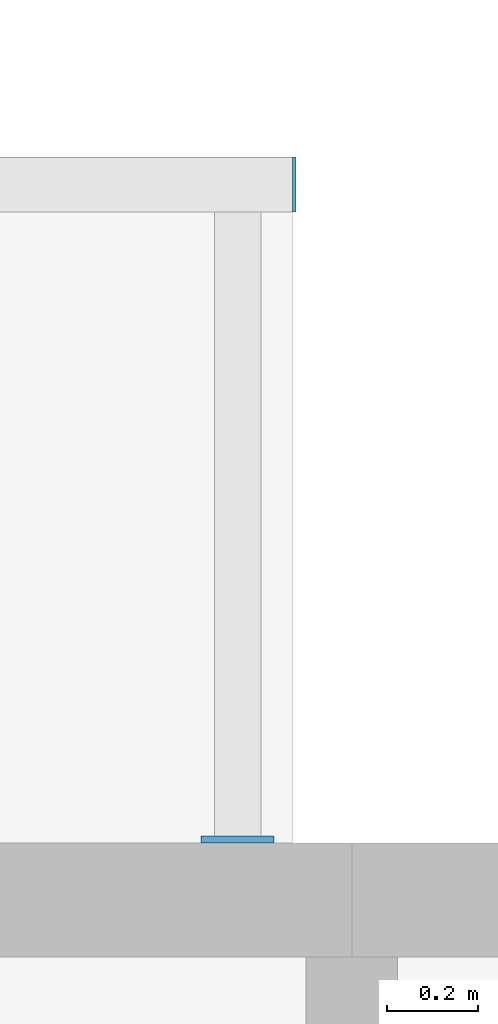
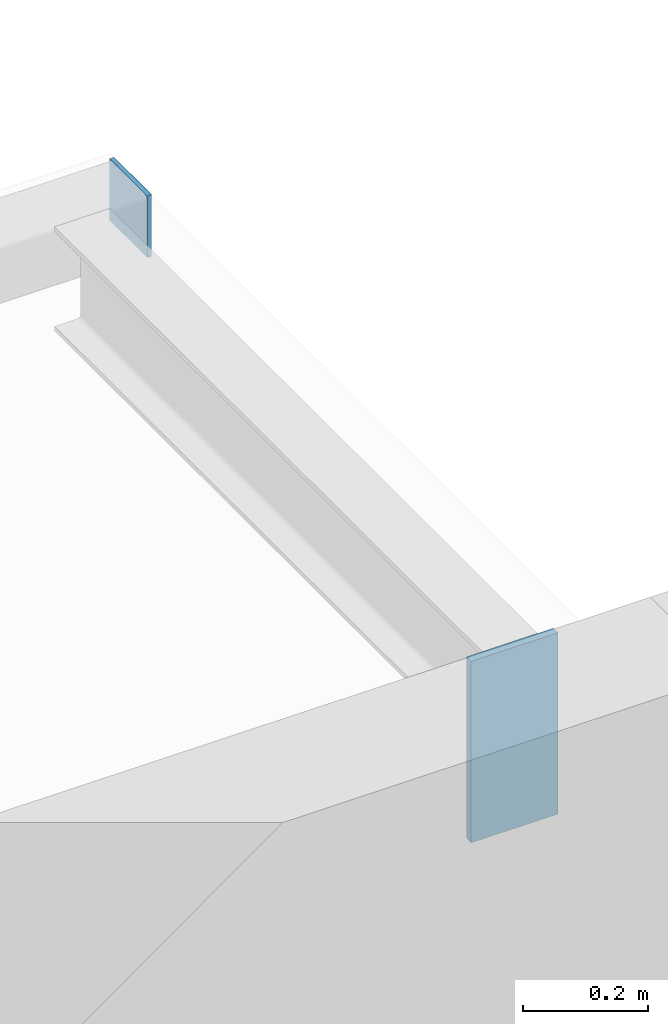
# One storey, part 70 of 98: 2 discrete accessories.
"""IFC4 building model written with IfcOpenShell, lengths in metres."""

from ifc_helpers import new_model, si_unit, direction, frame, origin, origin_2d, place, context, subcontext, project, spatial, rectangle, extrude, material, layer, layer_set, type_object, element, save


model = new_model("IFC4")

# Units and contexts
model_context = context("Model", 3, precision=1e-05, world=origin(), true_north=direction((0.0, 1.0)))
body_context = subcontext(model_context, "Body", "Model", "MODEL_VIEW")
ifc_project = project(units=[si_unit("LENGTHUNIT", "METRE"), si_unit("AREAUNIT", "SQUARE_METRE"), si_unit("VOLUMEUNIT", "CUBIC_METRE"), si_unit("PLANEANGLEUNIT", "RADIAN"), si_unit("MASSUNIT", "GRAM", prefix="KILO")], contexts=[model_context])

# Site, building, storey
site_placement = place(None, origin())
site = spatial("IfcSite", under=ifc_project, at=site_placement, CompositionType="ELEMENT")
building_placement = place(site_placement, origin())
building = spatial("IfcBuilding", under=site, at=building_placement, Name="Ridgestep Commons", CompositionType="ELEMENT")
storey_placement = place(building_placement, frame((0.0, 0.0, 12.0)))
storey = spatial("IfcBuildingStorey", under=building, at=storey_placement, Name="L04", CompositionType="ELEMENT", Elevation=12.0)

# Discrete accessories
ifc_material_1 = material(Name="Weathering steel S355J2W", Category="steel")
ifc_layer_1 = layer(ifc_material_1, 0.014892578125)
ifc_layer_set_1 = layer_set([ifc_layer_1], Name="Tray bracket plate 15")
discrete_accessory_type_1 = type_object("IfcDiscreteAccessoryType", Name="Tray bracket plate 15", PredefinedType="BRACKET", material=ifc_layer_set_1)
discrete_accessory_1_placement = place(storey_placement, frame((105.35009765625, 77.257568359375, 2.63671875), z_axis=(0.0, 0.0, 1.0), x_axis=(1.0, 0.0, 0.0)))
element("IfcDiscreteAccessory", 1, at=discrete_accessory_1_placement, inside=storey, type_object=discrete_accessory_type_1, Name="Tray bracket B6T3-05.2", PredefinedType="BRACKET", context=body_context, shape_type="SweptSolid", body=[
    extrude(rectangle(XDim=0.159912109375, YDim=0.014892578125, at=origin_2d()), origin(), (0.0, 0.0, 1.0), 0.353271484375),
])
ifc_material_2 = material(Name="Weathering steel S355J2W", Category="steel")
ifc_layer_2 = layer(ifc_material_2, 0.008056640625)
ifc_layer_set_2 = layer_set([ifc_layer_2], Name="Tray edge member end plate 120 x 120 x 8")
discrete_accessory_type_2 = type_object("IfcDiscreteAccessoryType", Name="Tray edge member end plate 120 x 120 x 8", PredefinedType="BRACKET", material=ifc_layer_set_2)
discrete_accessory_2_placement = place(storey_placement, frame((105.47412109375, 78.68994140625, 2.869873046875), z_axis=(0.0, 0.0, 1.0), x_axis=(1.0, 0.0, 0.0)))
element("IfcDiscreteAccessory", 2, at=discrete_accessory_2_placement, inside=storey, type_object=discrete_accessory_type_2, Name="Tray edge member end plate B6T3-05 east", PredefinedType="BRACKET", context=body_context, shape_type="SweptSolid", body=[
    extrude(rectangle(XDim=0.008056640625, YDim=0.1201171875, at=origin_2d()), origin(), (0.0, 0.0, 1.0), 0.1201171875),
])

save(model, "model.ifc")
